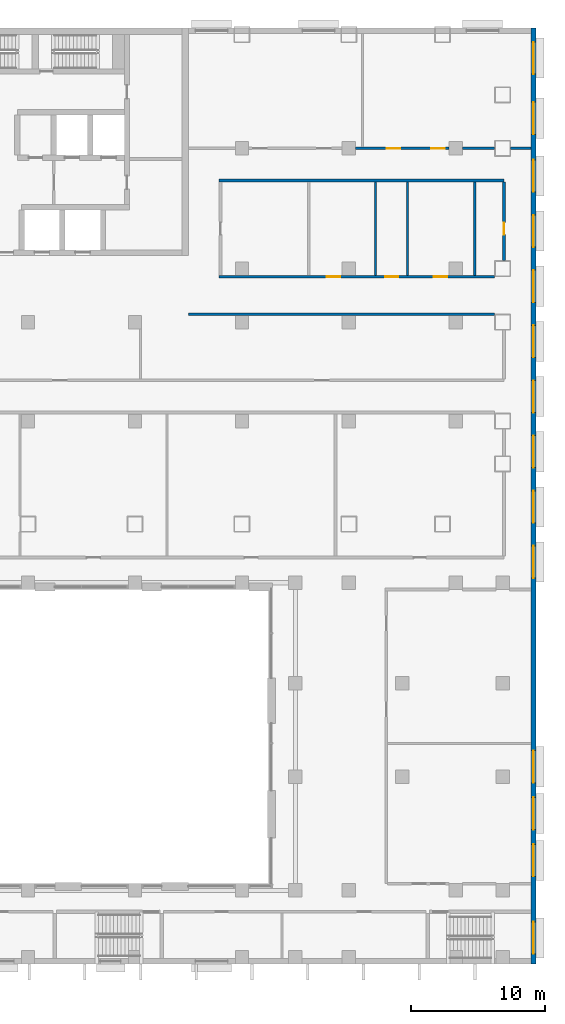
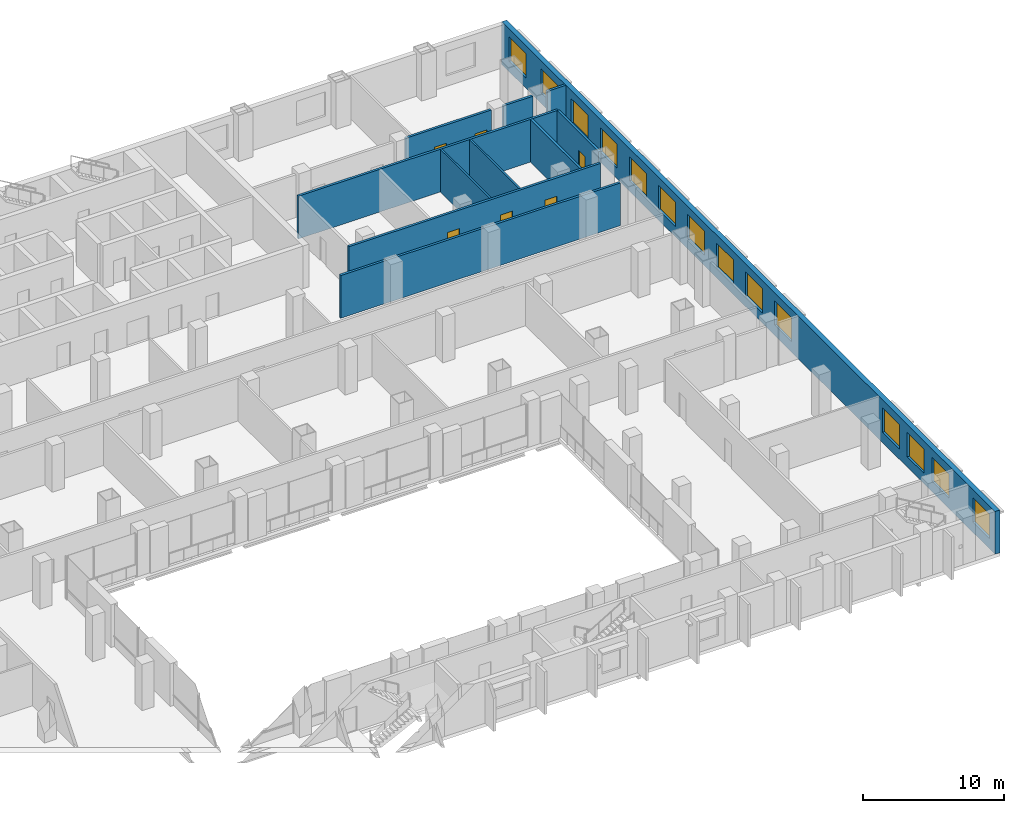
# One storey, part 14 of 25: 14 windows, 11 walls, 6 doors, 20 openings.
"""IFC4 building model written with IfcOpenShell, lengths in metres."""

import ifcopenshell
import ifcopenshell.guid

model = None  # the IFC model being written
_history = None  # IfcOwnerHistory: only IFC2X3 demands one
_inside = {}  # id of a spatial element -> (the spatial element, [elements in it])
_under = {}  # id of a project, library or spatial element -> (it, [spatial elements below it])
_declared = {}  # id of a project -> (the project, [libraries it declares])
_typed = {}  # id of a type object -> (the type object, [elements of that type])
_made_of = {}  # id of a material, layer set ... -> (it, [elements and type objects made of it])


def new_model(schema):
    """Start an empty IFC model of exactly this schema.

    Asked for "IFC4X3", IfcOpenShell would pick the latest addendum, in which some entities
    have other attributes; the version numbers below select the first issue.
    IFC2X3 requires an IfcOwnerHistory on every rooted entity: one is made here for all.
    """
    global model, _history
    if schema == "IFC4X3":
        model = ifcopenshell.file(schema_version=(4, 3, 0, 0))
    else:
        model = ifcopenshell.file(schema=schema)
    _inside.clear()
    _under.clear()
    _declared.clear()
    _typed.clear()
    _made_of.clear()
    _history = None
    if model.schema == "IFC2X3":
        org = make("IfcOrganization", Name="unknown")
        user = make(
            "IfcPersonAndOrganization",
            ThePerson=make("IfcPerson", FamilyName="unknown"),
            TheOrganization=org,
        )
        app = make(
            "IfcApplication",
            ApplicationDeveloper=org,
            Version="unknown",
            ApplicationFullName="unknown",
            ApplicationIdentifier="unknown",
        )
        _history = make(
            "IfcOwnerHistory",
            OwningUser=user,
            OwningApplication=app,
            ChangeAction="ADDED",
            CreationDate=0,
        )
    return model


def make(cls, **values):
    """One entity of the class cls with the attributes given. An attribute that is None is left unset."""
    return model.create_entity(
        cls, **{name: value for name, value in values.items() if value is not None}
    )


def rooted(cls, **values):
    """An entity with a GlobalId (a new one), such as an element, a storey or a relation."""
    return make(cls, GlobalId=ifcopenshell.guid.new(), OwnerHistory=_history, **values)


def si_unit(unit_type, name, prefix=None):
    """IfcSIUnit, for example si_unit("LENGTHUNIT", "METRE", prefix="MILLI")."""
    return make("IfcSIUnit", UnitType=unit_type, Prefix=prefix, Name=name)


def assignment(units):
    """IfcUnitAssignment: the units of a project."""
    return None if units is None else make("IfcUnitAssignment", Units=units)


def point(xyz):
    """IfcCartesianPoint."""
    return None if xyz is None else make("IfcCartesianPoint", Coordinates=xyz)


def direction(xyz):
    """IfcDirection."""
    return None if xyz is None else make("IfcDirection", DirectionRatios=xyz)


def frame(location, z_axis=None, x_axis=None):
    """IfcAxis2Placement3D, a coordinate frame: its origin and axes. An axis left out is left unset."""
    return make(
        "IfcAxis2Placement3D",
        Location=point(location),
        Axis=direction(z_axis),
        RefDirection=direction(x_axis),
    )


def frame_2d(location, x_axis=None):
    """IfcAxis2Placement2D, a coordinate frame in the plane: its origin and x axis."""
    return make(
        "IfcAxis2Placement2D", Location=point(location), RefDirection=direction(x_axis)
    )


def origin():
    """The frame at (0, 0, 0) with its axes left unset."""
    return frame((0.0, 0.0, 0.0))


def place(relative_to, where):
    """IfcLocalPlacement: puts the frame where relative to a parent placement (None: the world)."""
    return make(
        "IfcLocalPlacement", PlacementRelTo=relative_to, RelativePlacement=where
    )


def context(
    kind, dimensions, precision=None, world=None, true_north=None, identifier=None
):
    """IfcGeometricRepresentationContext, for example the 3D "Model" context."""
    return make(
        "IfcGeometricRepresentationContext",
        ContextIdentifier=identifier,
        ContextType=kind,
        CoordinateSpaceDimension=dimensions,
        Precision=precision,
        WorldCoordinateSystem=world,
        TrueNorth=true_north,
    )


def subcontext(parent, identifier, kind, view, scale=None):
    """IfcGeometricRepresentationSubContext, for example "Body" below "Model"."""
    return make(
        "IfcGeometricRepresentationSubContext",
        ContextIdentifier=identifier,
        ContextType=kind,
        ParentContext=parent,
        TargetScale=scale,
        TargetView=view,
    )


def project(units=None, contexts=None):
    """IfcProject with its units and contexts."""
    return rooted(
        "IfcProject",
        Name="project",
        RepresentationContexts=contexts,
        UnitsInContext=assignment(units),
    )


def spatial(cls, under=None, at=None, **own):
    """A site, building, storey or space (cls), placed at a placement, below another one or the project."""
    s = rooted(cls, ObjectPlacement=at, **own)
    if under is not None:
        _under.setdefault(under.id(), (under, []))[1].append(s)
    return s


def profile(cls, at=None, kind="AREA", **sizes):
    """A parametric profile (cls). Its sizes go by their IFC names, for example OverallWidth=200.0."""
    return make(cls, ProfileType=kind, Position=at, **sizes)


def rectangle(**sizes):
    """IfcRectangleProfileDef."""
    return profile("IfcRectangleProfileDef", **sizes)


def extrude(swept, where, along, depth):
    """IfcExtrudedAreaSolid: the profile swept, set in the frame where, extruded along a direction by depth."""
    return make(
        "IfcExtrudedAreaSolid",
        SweptArea=swept,
        Position=where,
        ExtrudedDirection=direction(along),
        Depth=depth,
    )


def shape(context_of_items, identifier, shape_type, items):
    """IfcShapeRepresentation: the items that make up one representation, for example the "Body"."""
    return make(
        "IfcShapeRepresentation",
        ContextOfItems=context_of_items,
        RepresentationIdentifier=identifier,
        RepresentationType=shape_type,
        Items=items,
    )


def material(Name=None, Category=None):
    """IfcMaterial."""
    return make("IfcMaterial", Name=Name, Category=Category)


def layer(
    of_material, thickness, ventilated=None, Name=None, Category=None, Priority=None
):
    """IfcMaterialLayer: one layer of a wall or slab, of a material (None: an air gap)."""
    return make(
        "IfcMaterialLayer",
        Material=of_material,
        LayerThickness=thickness,
        IsVentilated=ventilated,
        Name=Name,
        Category=Category,
        Priority=Priority,
    )


def layer_set(layers, Name=None):
    """IfcMaterialLayerSet."""
    return make("IfcMaterialLayerSet", MaterialLayers=layers, LayerSetName=Name)


def made_of(thing, what):
    """Note that an element or type object is made of a material, layer set ...; save() writes the relation."""
    if what is not None:
        _made_of.setdefault(what.id(), (what, []))[1].append(thing)
    return thing


def type_object(cls, material=None, **own):
    """A type object (cls), such as IfcWallType, which elements share."""
    return made_of(rooted(cls, **own), material)


def element(
    cls,
    number,
    at=None,
    inside=None,
    cuts=None,
    type_object=None,
    material=None,
    context=None,
    identifier="Body",
    shape_type=None,
    held_by="IfcProductDefinitionShape",
    body=None,
    shapes=None,
    **own,
):
    """One element of the class cls, such as IfcWall. Its Tag is "e" and its number.

    at: its placement. inside: the storey or other place that contains it. cuts: it is an
    opening in that element (IfcRelVoidsElement). A single representation is given by context,
    identifier, shape_type and body (its items); several are given by shapes. held_by: the class
    of the entity that holds the representations. save() writes the other relations.
    """
    e = rooted(cls, Tag="e%d" % number, ObjectPlacement=at, **own)
    if body is not None:
        shapes = [shape(context, identifier, shape_type, body)]
    if shapes is not None:
        e.Representation = make(held_by, Representations=shapes)
    if inside is not None:
        _inside.setdefault(inside.id(), (inside, []))[1].append(e)
    if cuts is not None:
        rooted(
            "IfcRelVoidsElement", RelatingBuildingElement=cuts, RelatedOpeningElement=e
        )
    if type_object is not None:
        _typed.setdefault(type_object.id(), (type_object, []))[1].append(e)
    return made_of(e, material)


def fill(opening, filler):
    """IfcRelFillsElement: the door or window that sits in an opening."""
    return rooted(
        "IfcRelFillsElement",
        RelatingOpeningElement=opening,
        RelatedBuildingElement=filler,
    )


def aggregate(whole, parts):
    """IfcRelAggregates: a whole, such as a stair, and the parts it consists of."""
    return rooted("IfcRelAggregates", RelatingObject=whole, RelatedObjects=parts)


def save(model, path):
    """Write the relations noted so far, then the file.

    IfcRelAggregates (storeys below a building ...), IfcRelContainedInSpatialStructure (elements
    in a storey), IfcRelDefinesByType, IfcRelAssociatesMaterial and IfcRelDeclares: one each for
    every whole, place, type object, material and project.
    """
    for whole, parts in _under.values():
        aggregate(whole, parts)
    for where, things in _inside.values():
        rooted(
            "IfcRelContainedInSpatialStructure",
            RelatedElements=things,
            RelatingStructure=where,
        )
    for kind, things in _typed.values():
        rooted("IfcRelDefinesByType", RelatedObjects=things, RelatingType=kind)
    for what, things in _made_of.values():
        rooted("IfcRelAssociatesMaterial", RelatedObjects=things, RelatingMaterial=what)
    for by, libraries in _declared.values():
        rooted("IfcRelDeclares", RelatingContext=by, RelatedDefinitions=libraries)
    model.write(path)


model = new_model("IFC4")

# Units and contexts
model_context = context("Model", 3, precision=1e-05, world=origin(), true_north=direction((0.0, 1.0)))
body_context = subcontext(model_context, "Body", "Model", "MODEL_VIEW")
ifc_project = project(units=[si_unit("LENGTHUNIT", "METRE"), si_unit("AREAUNIT", "SQUARE_METRE"), si_unit("VOLUMEUNIT", "CUBIC_METRE"), si_unit("PLANEANGLEUNIT", "RADIAN"), si_unit("MASSUNIT", "GRAM", prefix="KILO")], contexts=[model_context])

# Site, building, storey
site_placement = place(None, origin())
site = spatial("IfcSite", under=ifc_project, at=site_placement, CompositionType="ELEMENT")
building_placement = place(site_placement, origin())
building = spatial("IfcBuilding", under=site, at=building_placement, Name="Vidyagriha Tower", CompositionType="ELEMENT")
storey_placement = place(building_placement, frame((0.0, 0.0, 18.0)))
storey = spatial("IfcBuildingStorey", under=building, at=storey_placement, Name="L04", CompositionType="ELEMENT", Elevation=18.0)

# Wall, openings, windows
ifc_material_1 = material(Name="Concrete C40/50 board-marked with brick facing", Category="concrete")
ifc_layer_1 = layer(ifc_material_1, 0.39990234375)
ifc_layer_set_1 = layer_set([ifc_layer_1], Name="Concrete C40/50 board-marked with brick facing")
wall_type_1 = type_object("IfcWallType", Name="Brick-faced board-marked concrete podium wall 400", PredefinedType="STANDARD", material=ifc_layer_set_1)
wall_1_placement = place(storey_placement, frame((39.800048828125, -50.0, 0.0), z_axis=(0.0, 0.0, 1.0), x_axis=(0.0, 1.0, 0.0)))
wall_1 = element("IfcWall", 1, at=wall_1_placement, inside=storey, type_object=wall_type_1, Name="Podium wall L04 R01", PredefinedType="STANDARD", context=body_context, shape_type="SweptSolid", body=[
    extrude(rectangle(XDim=70.0, YDim=0.39990234375, at=frame_2d((35.0, 0.0))), origin(), (0.0, 0.0, 1.0), 3.699951171875),
])
opening_1_placement = place(wall_1_placement, frame((0.75, 0.0, 0.89990234375)))
opening_1 = element("IfcOpeningElement", 2, at=opening_1_placement, cuts=wall_1, Name="Opening WN3", PredefinedType="OPENING", context=body_context, shape_type="SweptSolid", body=[
    extrude(rectangle(XDim=2.39990234375, YDim=2.10009765625, at=frame_2d((1.199951171875, 1.050048828125))), frame((0.0, 0.2099609375, 0.0), z_axis=(0.0, -1.0, 0.0), x_axis=(1.0, 0.0, 0.0)), (0.0, 0.0, 1.0), 0.419921875),
])
opening_2_placement = place(wall_1_placement, frame((6.550048828125, 0.0, 0.89990234375)))
opening_2 = element("IfcOpeningElement", 3, at=opening_2_placement, cuts=wall_1, Name="Opening WN3", PredefinedType="OPENING", context=body_context, shape_type="SweptSolid", body=[
    extrude(rectangle(XDim=2.39990234375, YDim=2.10009765625, at=frame_2d((1.199951171875, 1.050048828125))), frame((0.0, 0.2099609375, 0.0), z_axis=(0.0, -1.0, 0.0), x_axis=(1.0, 0.0, 0.0)), (0.0, 0.0, 1.0), 0.419921875),
])
opening_3_placement = place(wall_1_placement, frame((10.050048828125, 0.0, 0.89990234375)))
opening_3 = element("IfcOpeningElement", 4, at=opening_3_placement, cuts=wall_1, Name="Opening WN3", PredefinedType="OPENING", context=body_context, shape_type="SweptSolid", body=[
    extrude(rectangle(XDim=2.39990234375, YDim=2.10009765625, at=frame_2d((1.199951171875, 1.050048828125))), frame((0.0, 0.2099609375, 0.0), z_axis=(0.0, -1.0, 0.0), x_axis=(1.0, 0.0, 0.0)), (0.0, 0.0, 1.0), 0.419921875),
])
opening_4_placement = place(wall_1_placement, frame((13.550048828125, 0.0, 0.89990234375)))
opening_4 = element("IfcOpeningElement", 5, at=opening_4_placement, cuts=wall_1, Name="Opening WN3", PredefinedType="OPENING", context=body_context, shape_type="SweptSolid", body=[
    extrude(rectangle(XDim=2.39990234375, YDim=2.10009765625, at=frame_2d((1.199951171875, 1.050048828125))), frame((0.0, 0.2099609375, 0.0), z_axis=(0.0, -1.0, 0.0), x_axis=(1.0, 0.0, 0.0)), (0.0, 0.0, 1.0), 0.419921875),
])
opening_5_placement = place(wall_1_placement, frame((28.862548828125, 0.0, 0.89990234375)))
opening_5 = element("IfcOpeningElement", 6, at=opening_5_placement, cuts=wall_1, Name="Opening WN3", PredefinedType="OPENING", context=body_context, shape_type="SweptSolid", body=[
    extrude(rectangle(XDim=2.39990234375, YDim=2.10009765625, at=frame_2d((1.199951171875, 1.050048828125))), frame((0.0, 0.2099609375, 0.0), z_axis=(0.0, -1.0, 0.0), x_axis=(1.0, 0.0, 0.0)), (0.0, 0.0, 1.0), 0.419921875),
])
opening_6_placement = place(wall_1_placement, frame((32.987548828125, 0.0, 0.89990234375)))
opening_6 = element("IfcOpeningElement", 7, at=opening_6_placement, cuts=wall_1, Name="Opening WN3", PredefinedType="OPENING", context=body_context, shape_type="SweptSolid", body=[
    extrude(rectangle(XDim=2.39990234375, YDim=2.10009765625, at=frame_2d((1.199951171875, 1.050048828125))), frame((0.0, 0.2099609375, 0.0), z_axis=(0.0, -1.0, 0.0), x_axis=(1.0, 0.0, 0.0)), (0.0, 0.0, 1.0), 0.419921875),
])
opening_7_placement = place(wall_1_placement, frame((37.112548828125, 0.0, 0.89990234375)))
opening_7 = element("IfcOpeningElement", 8, at=opening_7_placement, cuts=wall_1, Name="Opening WN3", PredefinedType="OPENING", context=body_context, shape_type="SweptSolid", body=[
    extrude(rectangle(XDim=2.39990234375, YDim=2.10009765625, at=frame_2d((1.199951171875, 1.050048828125))), frame((0.0, 0.2099609375, 0.0), z_axis=(0.0, -1.0, 0.0), x_axis=(1.0, 0.0, 0.0)), (0.0, 0.0, 1.0), 0.419921875),
])
opening_8_placement = place(wall_1_placement, frame((41.237548828125, 0.0, 0.89990234375)))
opening_8 = element("IfcOpeningElement", 9, at=opening_8_placement, cuts=wall_1, Name="Opening WN3", PredefinedType="OPENING", context=body_context, shape_type="SweptSolid", body=[
    extrude(rectangle(XDim=2.39990234375, YDim=2.10009765625, at=frame_2d((1.199951171875, 1.050048828125))), frame((0.0, 0.2099609375, 0.0), z_axis=(0.0, -1.0, 0.0), x_axis=(1.0, 0.0, 0.0)), (0.0, 0.0, 1.0), 0.419921875),
])
opening_9_placement = place(wall_1_placement, frame((45.362548828125, 0.0, 0.89990234375)))
opening_9 = element("IfcOpeningElement", 10, at=opening_9_placement, cuts=wall_1, Name="Opening WN3", PredefinedType="OPENING", context=body_context, shape_type="SweptSolid", body=[
    extrude(rectangle(XDim=2.39990234375, YDim=2.10009765625, at=frame_2d((1.199951171875, 1.050048828125))), frame((0.0, 0.2099609375, 0.0), z_axis=(0.0, -1.0, 0.0), x_axis=(1.0, 0.0, 0.0)), (0.0, 0.0, 1.0), 0.419921875),
])
opening_10_placement = place(wall_1_placement, frame((49.487548828125, 0.0, 0.89990234375)))
opening_10 = element("IfcOpeningElement", 11, at=opening_10_placement, cuts=wall_1, Name="Opening WN3", PredefinedType="OPENING", context=body_context, shape_type="SweptSolid", body=[
    extrude(rectangle(XDim=2.39990234375, YDim=2.10009765625, at=frame_2d((1.199951171875, 1.050048828125))), frame((0.0, 0.2099609375, 0.0), z_axis=(0.0, -1.0, 0.0), x_axis=(1.0, 0.0, 0.0)), (0.0, 0.0, 1.0), 0.419921875),
])
opening_11_placement = place(wall_1_placement, frame((53.612548828125, 0.0, 0.89990234375)))
opening_11 = element("IfcOpeningElement", 12, at=opening_11_placement, cuts=wall_1, Name="Opening WN3", PredefinedType="OPENING", context=body_context, shape_type="SweptSolid", body=[
    extrude(rectangle(XDim=2.39990234375, YDim=2.10009765625, at=frame_2d((1.199951171875, 1.050048828125))), frame((0.0, 0.2099609375, 0.0), z_axis=(0.0, -1.0, 0.0), x_axis=(1.0, 0.0, 0.0)), (0.0, 0.0, 1.0), 0.419921875),
])
opening_12_placement = place(wall_1_placement, frame((57.737548828125, 0.0, 0.89990234375)))
opening_12 = element("IfcOpeningElement", 13, at=opening_12_placement, cuts=wall_1, Name="Opening WN3", PredefinedType="OPENING", context=body_context, shape_type="SweptSolid", body=[
    extrude(rectangle(XDim=2.39990234375, YDim=2.10009765625, at=frame_2d((1.199951171875, 1.050048828125))), frame((0.0, 0.2099609375, 0.0), z_axis=(0.0, -1.0, 0.0), x_axis=(1.0, 0.0, 0.0)), (0.0, 0.0, 1.0), 0.419921875),
])
opening_13_placement = place(wall_1_placement, frame((62.050048828125, 0.0, 0.89990234375)))
opening_13 = element("IfcOpeningElement", 14, at=opening_13_placement, cuts=wall_1, Name="Opening WN3", PredefinedType="OPENING", context=body_context, shape_type="SweptSolid", body=[
    extrude(rectangle(XDim=2.39990234375, YDim=2.10009765625, at=frame_2d((1.199951171875, 1.050048828125))), frame((0.0, 0.2099609375, 0.0), z_axis=(0.0, -1.0, 0.0), x_axis=(1.0, 0.0, 0.0)), (0.0, 0.0, 1.0), 0.419921875),
])
opening_14_placement = place(wall_1_placement, frame((66.550048828125, 0.0, 0.89990234375)))
opening_14 = element("IfcOpeningElement", 15, at=opening_14_placement, cuts=wall_1, Name="Opening WN3", PredefinedType="OPENING", context=body_context, shape_type="SweptSolid", body=[
    extrude(rectangle(XDim=2.39990234375, YDim=2.10009765625, at=frame_2d((1.199951171875, 1.050048828125))), frame((0.0, 0.2099609375, 0.0), z_axis=(0.0, -1.0, 0.0), x_axis=(1.0, 0.0, 0.0)), (0.0, 0.0, 1.0), 0.419921875),
])
ifc_material_2 = material(Name="Aluminium and glass window", Category="aluminium")
window_type = type_object("IfcWindowType", Name="Podium school window 2400x2100", PartitioningType="NOTDEFINED", PredefinedType="WINDOW", material=ifc_material_2)
window_1_placement = place(opening_1_placement, origin())
window_1 = element("IfcWindow", 16, at=window_1_placement, inside=storey, type_object=window_type, Name="School window L04 R01.1", OverallHeight=2.10009765625, OverallWidth=2.39990234375, PartitioningType="SINGLE_PANEL", PredefinedType="WINDOW", context=body_context, shape_type="SweptSolid", body=[
    extrude(rectangle(XDim=2.39990234375, YDim=2.10009765625, at=frame_2d((1.199951171875, 1.050048828125))), frame((0.0, 0.030029296875, 0.0), z_axis=(0.0, -1.0, 0.0), x_axis=(1.0, 0.0, 0.0)), (0.0, 0.0, 1.0), 0.06005859375),
])
fill(opening_1, window_1)
window_2_placement = place(opening_2_placement, origin())
window_2 = element("IfcWindow", 17, at=window_2_placement, inside=storey, type_object=window_type, Name="School window L04 R01.3", OverallHeight=2.10009765625, OverallWidth=2.39990234375, PartitioningType="SINGLE_PANEL", PredefinedType="WINDOW", context=body_context, shape_type="SweptSolid", body=[
    extrude(rectangle(XDim=2.39990234375, YDim=2.10009765625, at=frame_2d((1.199951171875, 1.050048828125))), frame((0.0, 0.030029296875, 0.0), z_axis=(0.0, -1.0, 0.0), x_axis=(1.0, 0.0, 0.0)), (0.0, 0.0, 1.0), 0.06005859375),
])
fill(opening_2, window_2)
window_3_placement = place(opening_3_placement, origin())
window_3 = element("IfcWindow", 18, at=window_3_placement, inside=storey, type_object=window_type, Name="School window L04 R01.4", OverallHeight=2.10009765625, OverallWidth=2.39990234375, PartitioningType="SINGLE_PANEL", PredefinedType="WINDOW", context=body_context, shape_type="SweptSolid", body=[
    extrude(rectangle(XDim=2.39990234375, YDim=2.10009765625, at=frame_2d((1.199951171875, 1.050048828125))), frame((0.0, 0.030029296875, 0.0), z_axis=(0.0, -1.0, 0.0), x_axis=(1.0, 0.0, 0.0)), (0.0, 0.0, 1.0), 0.06005859375),
])
fill(opening_3, window_3)
window_4_placement = place(opening_4_placement, origin())
window_4 = element("IfcWindow", 19, at=window_4_placement, inside=storey, type_object=window_type, Name="School window L04 R01.5", OverallHeight=2.10009765625, OverallWidth=2.39990234375, PartitioningType="SINGLE_PANEL", PredefinedType="WINDOW", context=body_context, shape_type="SweptSolid", body=[
    extrude(rectangle(XDim=2.39990234375, YDim=2.10009765625, at=frame_2d((1.199951171875, 1.050048828125))), frame((0.0, 0.030029296875, 0.0), z_axis=(0.0, -1.0, 0.0), x_axis=(1.0, 0.0, 0.0)), (0.0, 0.0, 1.0), 0.06005859375),
])
fill(opening_4, window_4)
window_5_placement = place(opening_5_placement, origin())
window_5 = element("IfcWindow", 20, at=window_5_placement, inside=storey, type_object=window_type, Name="School window L04 R01.10", OverallHeight=2.10009765625, OverallWidth=2.39990234375, PartitioningType="SINGLE_PANEL", PredefinedType="WINDOW", context=body_context, shape_type="SweptSolid", body=[
    extrude(rectangle(XDim=2.39990234375, YDim=2.10009765625, at=frame_2d((1.199951171875, 1.050048828125))), frame((0.0, 0.030029296875, 0.0), z_axis=(0.0, -1.0, 0.0), x_axis=(1.0, 0.0, 0.0)), (0.0, 0.0, 1.0), 0.06005859375),
])
fill(opening_5, window_5)
window_6_placement = place(opening_6_placement, origin())
window_6 = element("IfcWindow", 21, at=window_6_placement, inside=storey, type_object=window_type, Name="School window L04 R01.11", OverallHeight=2.10009765625, OverallWidth=2.39990234375, PartitioningType="SINGLE_PANEL", PredefinedType="WINDOW", context=body_context, shape_type="SweptSolid", body=[
    extrude(rectangle(XDim=2.39990234375, YDim=2.10009765625, at=frame_2d((1.199951171875, 1.050048828125))), frame((0.0, 0.030029296875, 0.0), z_axis=(0.0, -1.0, 0.0), x_axis=(1.0, 0.0, 0.0)), (0.0, 0.0, 1.0), 0.06005859375),
])
fill(opening_6, window_6)
window_7_placement = place(opening_7_placement, origin())
window_7 = element("IfcWindow", 22, at=window_7_placement, inside=storey, type_object=window_type, Name="School window L04 R01.12", OverallHeight=2.10009765625, OverallWidth=2.39990234375, PartitioningType="SINGLE_PANEL", PredefinedType="WINDOW", context=body_context, shape_type="SweptSolid", body=[
    extrude(rectangle(XDim=2.39990234375, YDim=2.10009765625, at=frame_2d((1.199951171875, 1.050048828125))), frame((0.0, 0.030029296875, 0.0), z_axis=(0.0, -1.0, 0.0), x_axis=(1.0, 0.0, 0.0)), (0.0, 0.0, 1.0), 0.06005859375),
])
fill(opening_7, window_7)
window_8_placement = place(opening_8_placement, origin())
window_8 = element("IfcWindow", 23, at=window_8_placement, inside=storey, type_object=window_type, Name="School window L04 R01.13", OverallHeight=2.10009765625, OverallWidth=2.39990234375, PartitioningType="SINGLE_PANEL", PredefinedType="WINDOW", context=body_context, shape_type="SweptSolid", body=[
    extrude(rectangle(XDim=2.39990234375, YDim=2.10009765625, at=frame_2d((1.199951171875, 1.050048828125))), frame((0.0, 0.030029296875, 0.0), z_axis=(0.0, -1.0, 0.0), x_axis=(1.0, 0.0, 0.0)), (0.0, 0.0, 1.0), 0.06005859375),
])
fill(opening_8, window_8)
window_9_placement = place(opening_9_placement, origin())
window_9 = element("IfcWindow", 24, at=window_9_placement, inside=storey, type_object=window_type, Name="School window L04 R01.14", OverallHeight=2.10009765625, OverallWidth=2.39990234375, PartitioningType="SINGLE_PANEL", PredefinedType="WINDOW", context=body_context, shape_type="SweptSolid", body=[
    extrude(rectangle(XDim=2.39990234375, YDim=2.10009765625, at=frame_2d((1.199951171875, 1.050048828125))), frame((0.0, 0.030029296875, 0.0), z_axis=(0.0, -1.0, 0.0), x_axis=(1.0, 0.0, 0.0)), (0.0, 0.0, 1.0), 0.06005859375),
])
fill(opening_9, window_9)
window_10_placement = place(opening_10_placement, origin())
window_10 = element("IfcWindow", 25, at=window_10_placement, inside=storey, type_object=window_type, Name="School window L04 R01.15", OverallHeight=2.10009765625, OverallWidth=2.39990234375, PartitioningType="SINGLE_PANEL", PredefinedType="WINDOW", context=body_context, shape_type="SweptSolid", body=[
    extrude(rectangle(XDim=2.39990234375, YDim=2.10009765625, at=frame_2d((1.199951171875, 1.050048828125))), frame((0.0, 0.030029296875, 0.0), z_axis=(0.0, -1.0, 0.0), x_axis=(1.0, 0.0, 0.0)), (0.0, 0.0, 1.0), 0.06005859375),
])
fill(opening_10, window_10)
window_11_placement = place(opening_11_placement, origin())
window_11 = element("IfcWindow", 26, at=window_11_placement, inside=storey, type_object=window_type, Name="School window L04 R01.16", OverallHeight=2.10009765625, OverallWidth=2.39990234375, PartitioningType="SINGLE_PANEL", PredefinedType="WINDOW", context=body_context, shape_type="SweptSolid", body=[
    extrude(rectangle(XDim=2.39990234375, YDim=2.10009765625, at=frame_2d((1.199951171875, 1.050048828125))), frame((0.0, 0.030029296875, 0.0), z_axis=(0.0, -1.0, 0.0), x_axis=(1.0, 0.0, 0.0)), (0.0, 0.0, 1.0), 0.06005859375),
])
fill(opening_11, window_11)
window_12_placement = place(opening_12_placement, origin())
window_12 = element("IfcWindow", 27, at=window_12_placement, inside=storey, type_object=window_type, Name="School window L04 R01.17", OverallHeight=2.10009765625, OverallWidth=2.39990234375, PartitioningType="SINGLE_PANEL", PredefinedType="WINDOW", context=body_context, shape_type="SweptSolid", body=[
    extrude(rectangle(XDim=2.39990234375, YDim=2.10009765625, at=frame_2d((1.199951171875, 1.050048828125))), frame((0.0, 0.030029296875, 0.0), z_axis=(0.0, -1.0, 0.0), x_axis=(1.0, 0.0, 0.0)), (0.0, 0.0, 1.0), 0.06005859375),
])
fill(opening_12, window_12)
window_13_placement = place(opening_13_placement, origin())
window_13 = element("IfcWindow", 28, at=window_13_placement, inside=storey, type_object=window_type, Name="School window L04 R01.18", OverallHeight=2.10009765625, OverallWidth=2.39990234375, PartitioningType="SINGLE_PANEL", PredefinedType="WINDOW", context=body_context, shape_type="SweptSolid", body=[
    extrude(rectangle(XDim=2.39990234375, YDim=2.10009765625, at=frame_2d((1.199951171875, 1.050048828125))), frame((0.0, 0.030029296875, 0.0), z_axis=(0.0, -1.0, 0.0), x_axis=(1.0, 0.0, 0.0)), (0.0, 0.0, 1.0), 0.06005859375),
])
fill(opening_13, window_13)
window_14_placement = place(opening_14_placement, origin())
window_14 = element("IfcWindow", 29, at=window_14_placement, inside=storey, type_object=window_type, Name="School window L04 R01.19", OverallHeight=2.10009765625, OverallWidth=2.39990234375, PartitioningType="SINGLE_PANEL", PredefinedType="WINDOW", context=body_context, shape_type="SweptSolid", body=[
    extrude(rectangle(XDim=2.39990234375, YDim=2.10009765625, at=frame_2d((1.199951171875, 1.050048828125))), frame((0.0, 0.030029296875, 0.0), z_axis=(0.0, -1.0, 0.0), x_axis=(1.0, 0.0, 0.0)), (0.0, 0.0, 1.0), 0.06005859375),
])
fill(opening_14, window_14)

# Wall
ifc_material_3 = material(Name="Fire rated gypsum board on light gauge framing")
ifc_layer_2 = layer(ifc_material_3, 0.199951171875)
ifc_layer_set_2 = layer_set([ifc_layer_2], Name="Fire rated gypsum board on light gauge framing")
wall_type_2 = type_object("IfcWallType", Name="Fire Rated Corridor Wall 200", PredefinedType="PARTITIONING", material=ifc_layer_set_2)
wall_2_placement = place(storey_placement, frame((14.0, -1.39990234375, 0.0)))
element("IfcWall", 30, at=wall_2_placement, inside=storey, type_object=wall_type_2, Name="L04 Fire Rated Corridor Wall 200 025", PredefinedType="PARTITIONING", context=body_context, shape_type="SweptSolid", body=[
    extrude(rectangle(XDim=22.89990234375, YDim=0.199951171875, at=frame_2d((11.449951171875, 0.0))), origin(), (0.0, 0.0, 1.0), 3.699951171875),
])

# Wall, openings, doors
wall_3_placement = place(storey_placement, frame((16.300048828125, 1.39990234375, 0.0)))
wall_3 = element("IfcWall", 31, at=wall_3_placement, inside=storey, type_object=wall_type_2, Name="L04 Fire Rated Corridor Wall 200 027", PredefinedType="PARTITIONING", context=body_context, shape_type="SweptSolid", body=[
    extrude(rectangle(XDim=20.599853515625, YDim=0.199951171875, at=frame_2d((10.2998046875, 0.0))), origin(), (0.0, 0.0, 1.0), 3.699951171875),
])
opening_15_placement = place(wall_3_placement, frame((8.0498046875, 0.0, 0.0)))
opening_15 = element("IfcOpeningElement", 32, at=opening_15_placement, cuts=wall_3, Name="Opening D04-47", PredefinedType="OPENING", context=body_context, shape_type="SweptSolid", body=[
    extrude(rectangle(XDim=1.0, YDim=2.10009765625, at=frame_2d((0.5, 1.050048828125))), frame((0.0, 0.10986328125, 0.0), z_axis=(0.0, -1.0, 0.0), x_axis=(1.0, 0.0, 0.0)), (0.0, 0.0, 1.0), 0.219970703125),
])
opening_16_placement = place(wall_3_placement, frame((12.39990234375, 0.0, 0.0)))
opening_16 = element("IfcOpeningElement", 33, at=opening_16_placement, cuts=wall_3, Name="Opening D04-48", PredefinedType="OPENING", context=body_context, shape_type="SweptSolid", body=[
    extrude(rectangle(XDim=1.0, YDim=2.10009765625, at=frame_2d((0.5, 1.050048828125))), frame((0.0, 0.10986328125, 0.0), z_axis=(0.0, -1.0, 0.0), x_axis=(1.0, 0.0, 0.0)), (0.0, 0.0, 1.0), 0.219970703125),
])
opening_17_placement = place(wall_3_placement, frame((16.0498046875, 0.0, 0.0)))
opening_17 = element("IfcOpeningElement", 34, at=opening_17_placement, cuts=wall_3, Name="Opening D04-49", PredefinedType="OPENING", context=body_context, shape_type="SweptSolid", body=[
    extrude(rectangle(XDim=1.0, YDim=2.10009765625, at=frame_2d((0.5, 1.050048828125))), frame((0.0, 0.10986328125, 0.0), z_axis=(0.0, -1.0, 0.0), x_axis=(1.0, 0.0, 0.0)), (0.0, 0.0, 1.0), 0.219970703125),
])
ifc_material_4 = material(Name="Steel fire door set", Category="steel")
door_type_1 = type_object("IfcDoorType", Name="Podium Door 1000x2100 EI 30", OperationType="NOTDEFINED", PredefinedType="DOOR", material=ifc_material_4)
door_1_placement = place(opening_15_placement, origin())
door_1 = element("IfcDoor", 35, at=door_1_placement, inside=storey, type_object=door_type_1, Name="L04 door D04-47", OperationType="SINGLE_SWING_LEFT", OverallHeight=2.10009765625, OverallWidth=1.0, PredefinedType="DOOR", context=body_context, shape_type="SweptSolid", body=[
    extrude(rectangle(XDim=1.0, YDim=2.10009765625, at=frame_2d((0.5, 1.050048828125))), frame((0.0, 0.02490234375, 0.0), z_axis=(0.0, -1.0, 0.0), x_axis=(1.0, 0.0, 0.0)), (0.0, 0.0, 1.0), 0.050048828125),
])
fill(opening_15, door_1)
door_2_placement = place(opening_16_placement, origin())
door_2 = element("IfcDoor", 36, at=door_2_placement, inside=storey, type_object=door_type_1, Name="L04 door D04-48", OperationType="SINGLE_SWING_RIGHT", OverallHeight=2.10009765625, OverallWidth=1.0, PredefinedType="DOOR", context=body_context, shape_type="SweptSolid", body=[
    extrude(rectangle(XDim=1.0, YDim=2.10009765625, at=frame_2d((0.5, 1.050048828125))), frame((0.0, 0.02490234375, 0.0), z_axis=(0.0, -1.0, 0.0), x_axis=(1.0, 0.0, 0.0)), (0.0, 0.0, 1.0), 0.050048828125),
])
fill(opening_16, door_2)
door_3_placement = place(opening_17_placement, origin())
door_3 = element("IfcDoor", 37, at=door_3_placement, inside=storey, type_object=door_type_1, Name="L04 door D04-49", OperationType="SINGLE_SWING_RIGHT", OverallHeight=2.10009765625, OverallWidth=1.0, PredefinedType="DOOR", context=body_context, shape_type="SweptSolid", body=[
    extrude(rectangle(XDim=1.0, YDim=2.10009765625, at=frame_2d((0.5, 1.050048828125))), frame((0.0, 0.02490234375, 0.0), z_axis=(0.0, -1.0, 0.0), x_axis=(1.0, 0.0, 0.0)), (0.0, 0.0, 1.0), 0.050048828125),
])
fill(opening_17, door_3)

# Wall
wall_4_placement = place(storey_placement, frame((16.300048828125, 8.60009765625, 0.0)))
element("IfcWall", 38, at=wall_4_placement, inside=storey, type_object=wall_type_2, Name="L04 Fire Rated Corridor Wall 200 029", PredefinedType="PARTITIONING", context=body_context, shape_type="SweptSolid", body=[
    extrude(rectangle(XDim=21.2998046875, YDim=0.199951171875, at=frame_2d((10.64990234375, 0.0))), origin(), (0.0, 0.0, 1.0), 3.699951171875),
])

# Wall, openings, doors
wall_5_placement = place(storey_placement, frame((26.5, 11.0, 0.0)))
wall_5 = element("IfcWall", 39, at=wall_5_placement, inside=storey, type_object=wall_type_2, Name="L04 Fire Rated Corridor Wall 200 036", PredefinedType="PARTITIONING", context=body_context, shape_type="SweptSolid", body=[
    extrude(rectangle(XDim=7.0, YDim=0.199951171875, at=frame_2d((3.5, 0.0))), origin(), (0.0, 0.0, 1.0), 3.699951171875),
])
opening_18_placement = place(wall_5_placement, frame((2.33203125, 0.0, 0.0)))
opening_18 = element("IfcOpeningElement", 40, at=opening_18_placement, cuts=wall_5, Name="Opening D04-57", PredefinedType="OPENING", context=body_context, shape_type="SweptSolid", body=[
    extrude(rectangle(XDim=1.0, YDim=2.10009765625, at=frame_2d((0.5, 1.050048828125))), frame((0.0, 0.10986328125, 0.0), z_axis=(0.0, -1.0, 0.0), x_axis=(1.0, 0.0, 0.0)), (0.0, 0.0, 1.0), 0.219970703125),
])
opening_19_placement = place(wall_5_placement, frame((5.64990234375, 0.0, 0.0)))
opening_19 = element("IfcOpeningElement", 41, at=opening_19_placement, cuts=wall_5, Name="Opening D04-58", PredefinedType="OPENING", context=body_context, shape_type="SweptSolid", body=[
    extrude(rectangle(XDim=1.0, YDim=2.10009765625, at=frame_2d((0.5, 1.050048828125))), frame((0.0, 0.10986328125, 0.0), z_axis=(0.0, -1.0, 0.0), x_axis=(1.0, 0.0, 0.0)), (0.0, 0.0, 1.0), 0.219970703125),
])
door_4_placement = place(opening_18_placement, origin())
door_4 = element("IfcDoor", 42, at=door_4_placement, inside=storey, type_object=door_type_1, Name="L04 door D04-57", OperationType="SINGLE_SWING_LEFT", OverallHeight=2.10009765625, OverallWidth=1.0, PredefinedType="DOOR", context=body_context, shape_type="SweptSolid", body=[
    extrude(rectangle(XDim=1.0, YDim=2.10009765625, at=frame_2d((0.5, 1.050048828125))), frame((0.0, 0.02490234375, 0.0), z_axis=(0.0, -1.0, 0.0), x_axis=(1.0, 0.0, 0.0)), (0.0, 0.0, 1.0), 0.050048828125),
])
fill(opening_18, door_4)
door_5_placement = place(opening_19_placement, origin())
door_5 = element("IfcDoor", 43, at=door_5_placement, inside=storey, type_object=door_type_1, Name="L04 door D04-58", OperationType="SINGLE_SWING_RIGHT", OverallHeight=2.10009765625, OverallWidth=1.0, PredefinedType="DOOR", context=body_context, shape_type="SweptSolid", body=[
    extrude(rectangle(XDim=1.0, YDim=2.10009765625, at=frame_2d((0.5, 1.050048828125))), frame((0.0, 0.02490234375, 0.0), z_axis=(0.0, -1.0, 0.0), x_axis=(1.0, 0.0, 0.0)), (0.0, 0.0, 1.0), 0.050048828125),
])
fill(opening_19, door_5)

# Walls
wall_6_placement = place(storey_placement, frame((34.5, 11.0, 0.0)))
element("IfcWall", 44, at=wall_6_placement, inside=storey, type_object=wall_type_2, Name="L04 Fire Rated Corridor Wall 200 037", PredefinedType="PARTITIONING", context=body_context, shape_type="SweptSolid", body=[
    extrude(rectangle(XDim=2.39990234375, YDim=0.199951171875, at=frame_2d((1.199951171875, 0.0))), origin(), (0.0, 0.0, 1.0), 3.699951171875),
])
wall_7_placement = place(storey_placement, frame((38.10009765625, 11.0, 0.0)))
element("IfcWall", 45, at=wall_7_placement, inside=storey, type_object=wall_type_2, Name="L04 Fire Rated Corridor Wall 200 038", PredefinedType="PARTITIONING", context=body_context, shape_type="SweptSolid", body=[
    extrude(rectangle(XDim=1.5, YDim=0.199951171875, at=frame_2d((0.75, 0.0))), origin(), (0.0, 0.0, 1.0), 3.699951171875),
])
wall_8_placement = place(storey_placement, frame((35.39990234375, 1.5, 0.0), z_axis=(0.0, 0.0, 1.0), x_axis=(0.0, 1.0, 0.0)))
element("IfcWall", 46, at=wall_8_placement, inside=storey, type_object=wall_type_2, Name="L04 Fire Rated Corridor Wall 200 074", PredefinedType="PARTITIONING", context=body_context, shape_type="SweptSolid", body=[
    extrude(rectangle(XDim=7.0, YDim=0.199951171875, at=frame_2d((3.5, 0.0))), origin(), (0.0, 0.0, 1.0), 3.699951171875),
])

# Wall, opening, door
wall_9_placement = place(storey_placement, frame((37.60009765625, 2.60009765625, 0.0), z_axis=(0.0, 0.0, 1.0), x_axis=(0.0, 1.0, 0.0)))
wall_9 = element("IfcWall", 47, at=wall_9_placement, inside=storey, type_object=wall_type_2, Name="L04 Fire Rated Corridor Wall 200 078", PredefinedType="PARTITIONING", context=body_context, shape_type="SweptSolid", body=[
    extrude(rectangle(XDim=5.89990234375, YDim=0.199951171875, at=frame_2d((2.949951171875, 0.0))), origin(), (0.0, 0.0, 1.0), 3.699951171875),
])
opening_20_placement = place(wall_9_placement, frame((1.949951171875, 0.0, 0.0)))
opening_20 = element("IfcOpeningElement", 48, at=opening_20_placement, cuts=wall_9, Name="Opening D04-50", PredefinedType="OPENING", context=body_context, shape_type="SweptSolid", body=[
    extrude(rectangle(XDim=0.89990234375, YDim=2.10009765625, at=frame_2d((0.449951171875, 1.050048828125))), frame((0.0, 0.10986328125, 0.0), z_axis=(0.0, -1.0, 0.0), x_axis=(1.0, 0.0, 0.0)), (0.0, 0.0, 1.0), 0.219970703125),
])
ifc_material_5 = material(Name="Steel fire door set", Category="steel")
door_type_2 = type_object("IfcDoorType", Name="Podium Door 900x2100 EI 30", OperationType="NOTDEFINED", PredefinedType="DOOR", material=ifc_material_5)
door_6_placement = place(opening_20_placement, origin())
door_6 = element("IfcDoor", 49, at=door_6_placement, inside=storey, type_object=door_type_2, Name="L04 door D04-50", OperationType="SINGLE_SWING_LEFT", OverallHeight=2.10009765625, OverallWidth=0.89990234375, PredefinedType="DOOR", context=body_context, shape_type="SweptSolid", body=[
    extrude(rectangle(XDim=0.89990234375, YDim=2.10009765625, at=frame_2d((0.449951171875, 1.050048828125))), frame((0.0, 0.02490234375, 0.0), z_axis=(0.0, -1.0, 0.0), x_axis=(1.0, 0.0, 0.0)), (0.0, 0.0, 1.0), 0.050048828125),
])
fill(opening_20, door_6)

# Walls
ifc_material_6 = material(Name="Gypsum board on light gauge framing")
ifc_layer_3 = layer(ifc_material_6, 0.14990234375)
ifc_layer_set_3 = layer_set([ifc_layer_3], Name="Gypsum board on light gauge framing")
wall_type_3 = type_object("IfcWallType", Name="Gypsum Board Partition 150", PredefinedType="PARTITIONING", material=ifc_layer_set_3)
for number, where, z_axis, x_axis, name in (
    (50, (28.0, 1.5, 0.0), (0.0, 0.0, 1.0), (0.0, 1.0, 0.0), "L04 Gypsum Board Partition 150 070"),
    (51, (30.39990234375, 1.5, 0.0), (0.0, 0.0, 1.0), (0.0, 1.0, 0.0), "L04 Gypsum Board Partition 150 072"),
):
    element("IfcWall", number, at=place(storey_placement, frame(where, z_axis=z_axis, x_axis=x_axis)), inside=storey, type_object=wall_type_3, Name=name, PredefinedType="PARTITIONING", context=body_context, shape_type="SweptSolid", body=[
        extrude(rectangle(XDim=7.0, YDim=0.14990234375, at=frame_2d((3.5, 0.0))), origin(), (0.0, 0.0, 1.0), 3.699951171875),
    ])

save(model, "model.ifc")
